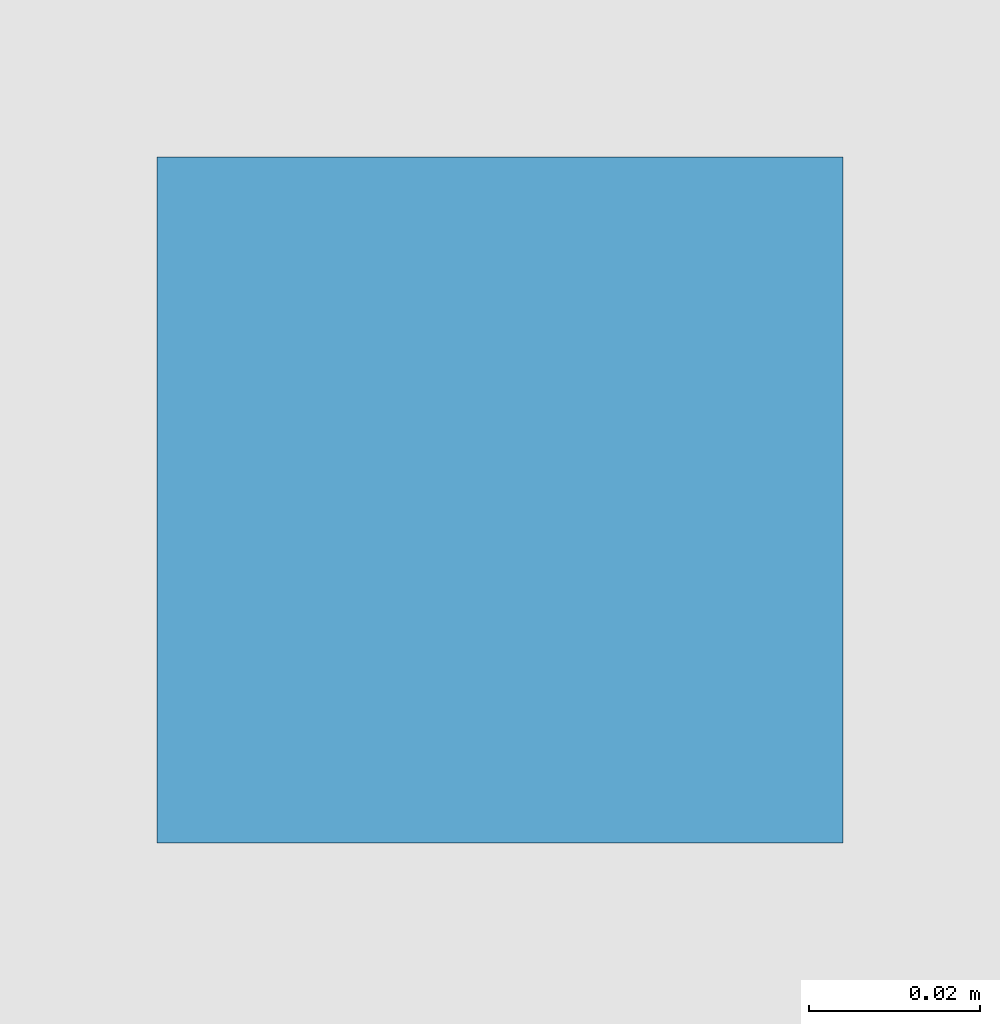
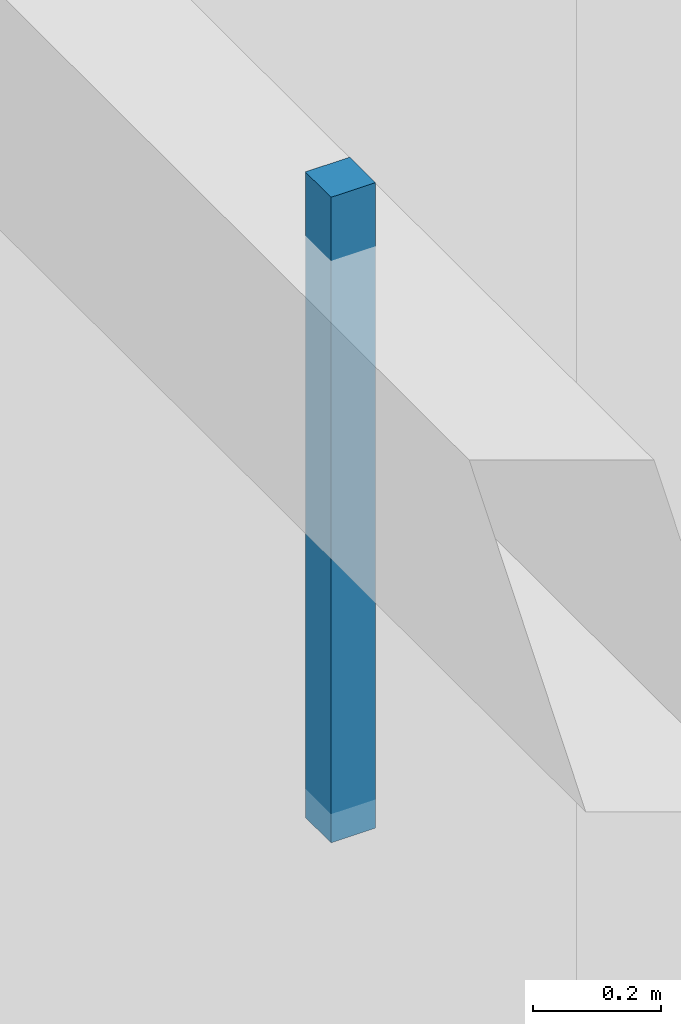
# One storey, part 128 of 147: 1 discrete accessory.
"""IFC4 building model written with IfcOpenShell, lengths in metres."""

from ifc_helpers import new_model, si_unit, direction, frame, origin, origin_2d, place, context, subcontext, project, spatial, rectangle, extrude, material, layer, layer_set, type_object, element, save


model = new_model("IFC4")

# Units and contexts
model_context = context("Model", 3, precision=1e-05, world=origin(), true_north=direction((0.0, 1.0)))
body_context = subcontext(model_context, "Body", "Model", "MODEL_VIEW")
ifc_project = project(units=[si_unit("LENGTHUNIT", "METRE"), si_unit("AREAUNIT", "SQUARE_METRE"), si_unit("VOLUMEUNIT", "CUBIC_METRE"), si_unit("PLANEANGLEUNIT", "RADIAN"), si_unit("MASSUNIT", "GRAM", prefix="KILO")], contexts=[model_context])

# Site, building, storey
site_placement = place(None, origin())
site = spatial("IfcSite", under=ifc_project, at=site_placement, CompositionType="ELEMENT")
building_placement = place(site_placement, origin())
building = spatial("IfcBuilding", under=site, at=building_placement, Name="Varnabhumi Central Station", CompositionType="ELEMENT")
storey_placement = place(building_placement, origin())
storey = spatial("IfcBuildingStorey", under=building, at=storey_placement, Name="L00", CompositionType="ELEMENT", Elevation=0.0)

# Discrete accessory
ifc_material = material(Name="Structural steel E350", Category="steel")
ifc_layer = layer(ifc_material, 0.159912109375, Name="Structural steel E350", Category="steel")
ifc_layer_set = layer_set([ifc_layer], Name="Structural steel E350")
discrete_accessory_type = type_object("IfcDiscreteAccessoryType", Name="ACC-SHADE-BRKT", PredefinedType="BRACKET", material=ifc_layer_set)
discrete_accessory_placement = place(storey_placement, frame((152.0, 110.60009765625, 3.43994140625), z_axis=(0.0, 0.0, 1.0), x_axis=(1.0, 0.0, 0.0)))
element("IfcDiscreteAccessory", 1, at=discrete_accessory_placement, inside=storey, type_object=discrete_accessory_type, Name="Handicrafts and Souvenir Shop Ceiling Hanger", PredefinedType="BRACKET", context=body_context, shape_type="SweptSolid", body=[
    extrude(rectangle(XDim=0.080078125, YDim=0.080078125, at=origin_2d()), origin(), (0.0, 0.0, 1.0), 1.22998046875),
])

save(model, "model.ifc")
